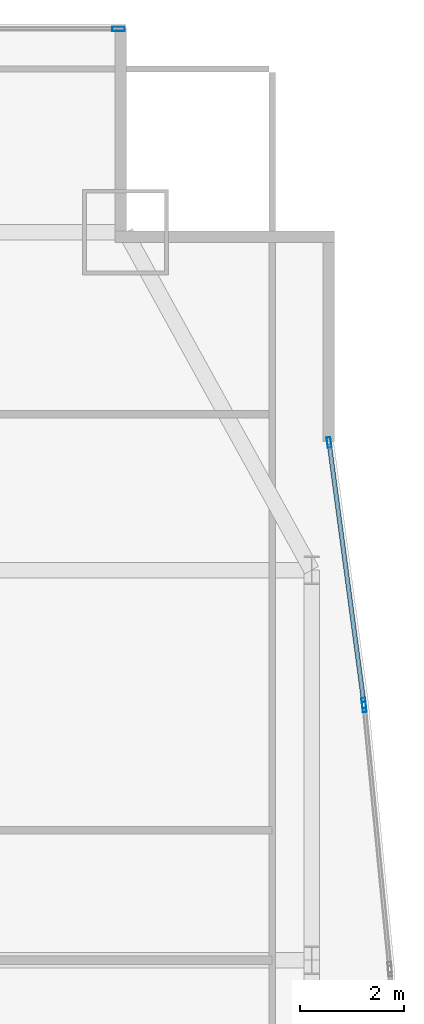
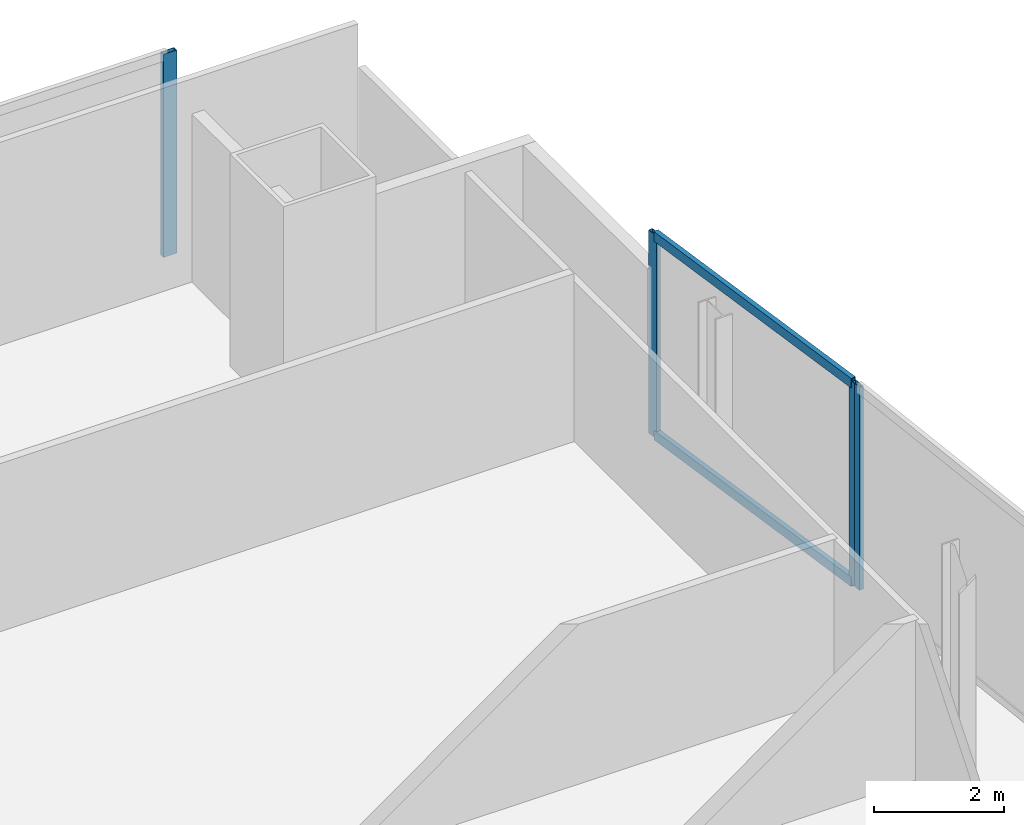
# One storey, part 24 of 35: 6 members, 3 elements without a shape of their own.
"""IFC4 building model written with IfcOpenShell, lengths in metres."""

import ifcopenshell
import ifcopenshell.guid

model = None  # the IFC model being written
_history = None  # IfcOwnerHistory: only IFC2X3 demands one
_inside = {}  # id of a spatial element -> (the spatial element, [elements in it])
_under = {}  # id of a project, library or spatial element -> (it, [spatial elements below it])
_declared = {}  # id of a project -> (the project, [libraries it declares])
_typed = {}  # id of a type object -> (the type object, [elements of that type])
_made_of = {}  # id of a material, layer set ... -> (it, [elements and type objects made of it])


def new_model(schema):
    """Start an empty IFC model of exactly this schema.

    Asked for "IFC4X3", IfcOpenShell would pick the latest addendum, in which some entities
    have other attributes; the version numbers below select the first issue.
    IFC2X3 requires an IfcOwnerHistory on every rooted entity: one is made here for all.
    """
    global model, _history
    if schema == "IFC4X3":
        model = ifcopenshell.file(schema_version=(4, 3, 0, 0))
    else:
        model = ifcopenshell.file(schema=schema)
    _inside.clear()
    _under.clear()
    _declared.clear()
    _typed.clear()
    _made_of.clear()
    _history = None
    if model.schema == "IFC2X3":
        org = make("IfcOrganization", Name="unknown")
        user = make(
            "IfcPersonAndOrganization",
            ThePerson=make("IfcPerson", FamilyName="unknown"),
            TheOrganization=org,
        )
        app = make(
            "IfcApplication",
            ApplicationDeveloper=org,
            Version="unknown",
            ApplicationFullName="unknown",
            ApplicationIdentifier="unknown",
        )
        _history = make(
            "IfcOwnerHistory",
            OwningUser=user,
            OwningApplication=app,
            ChangeAction="ADDED",
            CreationDate=0,
        )
    return model


def make(cls, **values):
    """One entity of the class cls with the attributes given. An attribute that is None is left unset."""
    return model.create_entity(
        cls, **{name: value for name, value in values.items() if value is not None}
    )


def rooted(cls, **values):
    """An entity with a GlobalId (a new one), such as an element, a storey or a relation."""
    return make(cls, GlobalId=ifcopenshell.guid.new(), OwnerHistory=_history, **values)


def si_unit(unit_type, name, prefix=None):
    """IfcSIUnit, for example si_unit("LENGTHUNIT", "METRE", prefix="MILLI")."""
    return make("IfcSIUnit", UnitType=unit_type, Prefix=prefix, Name=name)


def assignment(units):
    """IfcUnitAssignment: the units of a project."""
    return None if units is None else make("IfcUnitAssignment", Units=units)


def point(xyz):
    """IfcCartesianPoint."""
    return None if xyz is None else make("IfcCartesianPoint", Coordinates=xyz)


def direction(xyz):
    """IfcDirection."""
    return None if xyz is None else make("IfcDirection", DirectionRatios=xyz)


def frame(location, z_axis=None, x_axis=None):
    """IfcAxis2Placement3D, a coordinate frame: its origin and axes. An axis left out is left unset."""
    return make(
        "IfcAxis2Placement3D",
        Location=point(location),
        Axis=direction(z_axis),
        RefDirection=direction(x_axis),
    )


def frame_2d(location, x_axis=None):
    """IfcAxis2Placement2D, a coordinate frame in the plane: its origin and x axis."""
    return make(
        "IfcAxis2Placement2D", Location=point(location), RefDirection=direction(x_axis)
    )


def origin():
    """The frame at (0, 0, 0) with its axes left unset."""
    return frame((0.0, 0.0, 0.0))


def origin_2d():
    """The frame at (0, 0) in the plane with its x axis left unset."""
    return frame_2d((0.0, 0.0))


def place(relative_to, where):
    """IfcLocalPlacement: puts the frame where relative to a parent placement (None: the world)."""
    return make(
        "IfcLocalPlacement", PlacementRelTo=relative_to, RelativePlacement=where
    )


def context(
    kind, dimensions, precision=None, world=None, true_north=None, identifier=None
):
    """IfcGeometricRepresentationContext, for example the 3D "Model" context."""
    return make(
        "IfcGeometricRepresentationContext",
        ContextIdentifier=identifier,
        ContextType=kind,
        CoordinateSpaceDimension=dimensions,
        Precision=precision,
        WorldCoordinateSystem=world,
        TrueNorth=true_north,
    )


def subcontext(parent, identifier, kind, view, scale=None):
    """IfcGeometricRepresentationSubContext, for example "Body" below "Model"."""
    return make(
        "IfcGeometricRepresentationSubContext",
        ContextIdentifier=identifier,
        ContextType=kind,
        ParentContext=parent,
        TargetScale=scale,
        TargetView=view,
    )


def project(units=None, contexts=None):
    """IfcProject with its units and contexts."""
    return rooted(
        "IfcProject",
        Name="project",
        RepresentationContexts=contexts,
        UnitsInContext=assignment(units),
    )


def spatial(cls, under=None, at=None, **own):
    """A site, building, storey or space (cls), placed at a placement, below another one or the project."""
    s = rooted(cls, ObjectPlacement=at, **own)
    if under is not None:
        _under.setdefault(under.id(), (under, []))[1].append(s)
    return s


def profile(cls, at=None, kind="AREA", **sizes):
    """A parametric profile (cls). Its sizes go by their IFC names, for example OverallWidth=200.0."""
    return make(cls, ProfileType=kind, Position=at, **sizes)


def hollow_rectangle(**sizes):
    """IfcRectangleHollowProfileDef."""
    return profile("IfcRectangleHollowProfileDef", **sizes)


def extrude(swept, where, along, depth):
    """IfcExtrudedAreaSolid: the profile swept, set in the frame where, extruded along a direction by depth."""
    return make(
        "IfcExtrudedAreaSolid",
        SweptArea=swept,
        Position=where,
        ExtrudedDirection=direction(along),
        Depth=depth,
    )


def shape(context_of_items, identifier, shape_type, items):
    """IfcShapeRepresentation: the items that make up one representation, for example the "Body"."""
    return make(
        "IfcShapeRepresentation",
        ContextOfItems=context_of_items,
        RepresentationIdentifier=identifier,
        RepresentationType=shape_type,
        Items=items,
    )


def material(Name=None, Category=None):
    """IfcMaterial."""
    return make("IfcMaterial", Name=Name, Category=Category)


def material_profile(
    of_material, cross_section, Name=None, Category=None, Priority=None
):
    """IfcMaterialProfile: a cross section and its material."""
    return make(
        "IfcMaterialProfile",
        Name=Name,
        Material=of_material,
        Profile=cross_section,
        Priority=Priority,
        Category=Category,
    )


def profile_set(profiles, Name=None, composite=None):
    """IfcMaterialProfileSet."""
    return make(
        "IfcMaterialProfileSet",
        Name=Name,
        MaterialProfiles=profiles,
        CompositeProfile=composite,
    )


def made_of(thing, what):
    """Note that an element or type object is made of a material, layer set ...; save() writes the relation."""
    if what is not None:
        _made_of.setdefault(what.id(), (what, []))[1].append(thing)
    return thing


def type_object(cls, material=None, **own):
    """A type object (cls), such as IfcWallType, which elements share."""
    return made_of(rooted(cls, **own), material)


def element(
    cls,
    number,
    at=None,
    inside=None,
    cuts=None,
    type_object=None,
    material=None,
    context=None,
    identifier="Body",
    shape_type=None,
    held_by="IfcProductDefinitionShape",
    body=None,
    shapes=None,
    **own,
):
    """One element of the class cls, such as IfcWall. Its Tag is "e" and its number.

    at: its placement. inside: the storey or other place that contains it. cuts: it is an
    opening in that element (IfcRelVoidsElement). A single representation is given by context,
    identifier, shape_type and body (its items); several are given by shapes. held_by: the class
    of the entity that holds the representations. save() writes the other relations.
    """
    e = rooted(cls, Tag="e%d" % number, ObjectPlacement=at, **own)
    if body is not None:
        shapes = [shape(context, identifier, shape_type, body)]
    if shapes is not None:
        e.Representation = make(held_by, Representations=shapes)
    if inside is not None:
        _inside.setdefault(inside.id(), (inside, []))[1].append(e)
    if cuts is not None:
        rooted(
            "IfcRelVoidsElement", RelatingBuildingElement=cuts, RelatedOpeningElement=e
        )
    if type_object is not None:
        _typed.setdefault(type_object.id(), (type_object, []))[1].append(e)
    return made_of(e, material)


def aggregate(whole, parts):
    """IfcRelAggregates: a whole, such as a stair, and the parts it consists of."""
    return rooted("IfcRelAggregates", RelatingObject=whole, RelatedObjects=parts)


def save(model, path):
    """Write the relations noted so far, then the file.

    IfcRelAggregates (storeys below a building ...), IfcRelContainedInSpatialStructure (elements
    in a storey), IfcRelDefinesByType, IfcRelAssociatesMaterial and IfcRelDeclares: one each for
    every whole, place, type object, material and project.
    """
    for whole, parts in _under.values():
        aggregate(whole, parts)
    for where, things in _inside.values():
        rooted(
            "IfcRelContainedInSpatialStructure",
            RelatedElements=things,
            RelatingStructure=where,
        )
    for kind, things in _typed.values():
        rooted("IfcRelDefinesByType", RelatedObjects=things, RelatingType=kind)
    for what, things in _made_of.values():
        rooted("IfcRelAssociatesMaterial", RelatedObjects=things, RelatingMaterial=what)
    for by, libraries in _declared.values():
        rooted("IfcRelDeclares", RelatingContext=by, RelatedDefinitions=libraries)
    model.write(path)


model = new_model("IFC4")

# Units and contexts
model_context = context("Model", 3, precision=1e-05, world=origin(), true_north=direction((0.0, 1.0)))
body_context = subcontext(model_context, "Body", "Model", "MODEL_VIEW")
ifc_project = project(units=[si_unit("LENGTHUNIT", "METRE"), si_unit("AREAUNIT", "SQUARE_METRE"), si_unit("VOLUMEUNIT", "CUBIC_METRE"), si_unit("PLANEANGLEUNIT", "RADIAN"), si_unit("MASSUNIT", "GRAM", prefix="KILO")], contexts=[model_context])

# Site, building, storey
site_placement = place(None, origin())
site = spatial("IfcSite", under=ifc_project, at=site_placement, CompositionType="ELEMENT")
building_placement = place(site_placement, origin())
building = spatial("IfcBuilding", under=site, at=building_placement, Name="Khoronbel Lancet Exchange", CompositionType="ELEMENT")
storey_placement = place(building_placement, frame((0.0, 0.0, 69.800048828125)))
storey = spatial("IfcBuildingStorey", under=building, at=storey_placement, Name="L16", CompositionType="ELEMENT", Elevation=69.800048828125)

# Curtain wall, member
ifc_material_1 = material(Name="Low-E Solar Control Insulating Glass", Category="glass")
curtain_wall_type_1 = type_object("IfcCurtainWallType", Name="CW-1", PredefinedType="NOTDEFINED", material=ifc_material_1)
curtain_wall_1_placement = place(storey_placement, origin())
curtain_wall_1 = element("IfcCurtainWall", 1, at=curtain_wall_1_placement, inside=storey, type_object=curtain_wall_type_1, Name="Unitised curtain wall CW-L16-NEFLK", PredefinedType="NOTDEFINED")
ifc_material_2 = material(Name="Bronze-Anodised Aluminium 6063-T6", Category="aluminium")
ifc_material_profile_1 = material_profile(ifc_material_2, hollow_rectangle(XDim=0.0849609375, YDim=0.239990234375, WallThickness=0.006103515625, at=origin_2d()), Name="ALU MULLION 85x240")
ifc_profile_set_1 = profile_set([ifc_material_profile_1], Name="Bronze-Anodised Aluminium 6063-T6")
member_type_1 = type_object("IfcMemberType", Name="MEM-CWM1", PredefinedType="MULLION", material=ifc_profile_set_1)
member_1_placement = place(storey_placement, frame((67.91748046875, 53.610107421875, 0.0), z_axis=(0.0, 0.0, 1.0), x_axis=(0.0, -1.0, 0.0)))
member_1 = element("IfcMember", 2, at=member_1_placement, type_object=member_type_1, Name="CW1 mullion 1", PredefinedType="MULLION", context=body_context, shape_type="SweptSolid", body=[
    extrude(hollow_rectangle(XDim=0.0849609375, YDim=0.239990234375, WallThickness=0.006103515625, at=origin_2d()), origin(), (0.0, 0.0, 1.0), 3.820068359375),
])
aggregate(curtain_wall_1, [member_1])

# Curtain wall, members
curtain_wall_type_2 = type_object("IfcCurtainWallType", Name="CW-4", PredefinedType="NOTDEFINED", material=ifc_material_1)
curtain_wall_2_placement = place(storey_placement, origin())
curtain_wall_2 = element("IfcCurtainWall", 3, at=curtain_wall_2_placement, inside=storey, type_object=curtain_wall_type_2, Name="Unitised curtain wall CW-L16-E17", PredefinedType="NOTDEFINED")
ifc_material_profile_2 = material_profile(ifc_material_2, hollow_rectangle(XDim=0.074951171875, YDim=0.199951171875, WallThickness=0.0048828125, at=origin_2d()), Name="ALU MULLION 75x200")
ifc_profile_set_2 = profile_set([ifc_material_profile_2], Name="Bronze-Anodised Aluminium 6063-T6")
member_type_2 = type_object("IfcMemberType", Name="MEM-CWM2", PredefinedType="MULLION", material=ifc_profile_set_2)
member_2_placement = place(storey_placement, frame((71.96484375, 45.65673828125, 0.0), z_axis=(0.0, 0.0, 1.0), x_axis=(0.991229091757, 0.132154786724, 0.0)))
member_2 = element("IfcMember", 4, at=member_2_placement, type_object=member_type_2, Name="CW4 mullion 1", PredefinedType="MULLION", context=body_context, shape_type="SweptSolid", body=[
    extrude(hollow_rectangle(XDim=0.074951171875, YDim=0.199951171875, WallThickness=0.0048828125, at=origin_2d()), origin(), (0.0, 0.0, 1.0), 3.820068359375),
])
member_3_placement = place(storey_placement, frame((72.63330078125, 40.6435546875, 0.0), z_axis=(0.0, 0.0, 1.0), x_axis=(0.991229091757, 0.132154786724, 0.0)))
member_3 = element("IfcMember", 5, at=member_3_placement, type_object=member_type_2, Name="CW4 mullion 2", PredefinedType="MULLION", context=body_context, shape_type="SweptSolid", body=[
    extrude(hollow_rectangle(XDim=0.074951171875, YDim=0.199951171875, WallThickness=0.0048828125, at=origin_2d()), origin(), (0.0, 0.0, 1.0), 3.820068359375),
])

# Curtain wall, member
curtain_wall_3_placement = place(storey_placement, origin())
curtain_wall_3 = element("IfcCurtainWall", 6, at=curtain_wall_3_placement, inside=storey, type_object=curtain_wall_type_2, Name="Unitised curtain wall CW-L16-E18", PredefinedType="NOTDEFINED")
member_4_placement = place(storey_placement, frame((72.641845703125, 40.569091796875, 0.0), z_axis=(0.0, 0.0, 1.0), x_axis=(0.995271261573, 0.097134524689, 0.0)))
member_4 = element("IfcMember", 7, at=member_4_placement, type_object=member_type_2, Name="CW4 mullion 1", PredefinedType="MULLION", context=body_context, shape_type="SweptSolid", body=[
    extrude(hollow_rectangle(XDim=0.074951171875, YDim=0.199951171875, WallThickness=0.0048828125, at=origin_2d()), origin(), (0.0, 0.0, 1.0), 3.820068359375),
])
aggregate(curtain_wall_3, [member_4])

# Member
ifc_material_profile_3 = material_profile(ifc_material_2, hollow_rectangle(XDim=0.0849609375, YDim=0.179931640625, WallThickness=0.0048828125, at=origin_2d()), Name="ALU TRANSOM 85x180")
ifc_profile_set_3 = profile_set([ifc_material_profile_3], Name="Bronze-Anodised Aluminium 6063-T6")
member_type_3 = type_object("IfcMemberType", Name="MEM-CWT1", PredefinedType="USERDEFINED", material=ifc_profile_set_3)
member_5_placement = place(storey_placement, frame((71.969970703125, 45.61962890625, 0.04248046875), z_axis=(0.132147672686, -0.991230040204, 0.0), x_axis=(0.991230040204, 0.132147672686, 0.0)))
member_5 = element("IfcMember", 8, at=member_5_placement, type_object=member_type_3, Name="CW4 transom 1.1", ObjectType="TRANSOM", PredefinedType="USERDEFINED", context=body_context, shape_type="SweptSolid", body=[
    extrude(hollow_rectangle(XDim=0.0849609375, YDim=0.179931640625, WallThickness=0.0048828125, at=origin_2d()), origin(), (0.0, 0.0, 1.0), 4.982666015625),
])

member_6_placement = place(storey_placement, frame((71.969970703125, 45.61962890625, 3.77734375), z_axis=(0.132147672686, -0.991230040204, 0.0), x_axis=(0.991230040204, 0.132147672686, 0.0)))
member_6 = element("IfcMember", 9, at=member_6_placement, type_object=member_type_3, Name="CW4 transom 1.2", ObjectType="TRANSOM", PredefinedType="USERDEFINED", context=body_context, shape_type="SweptSolid", body=[
    extrude(hollow_rectangle(XDim=0.0849609375, YDim=0.179931640625, WallThickness=0.0048828125, at=origin_2d()), origin(), (0.0, 0.0, 1.0), 4.982666015625),
])

aggregate(curtain_wall_2, [member_2, member_3, member_5, member_6])

save(model, "model.ifc")
